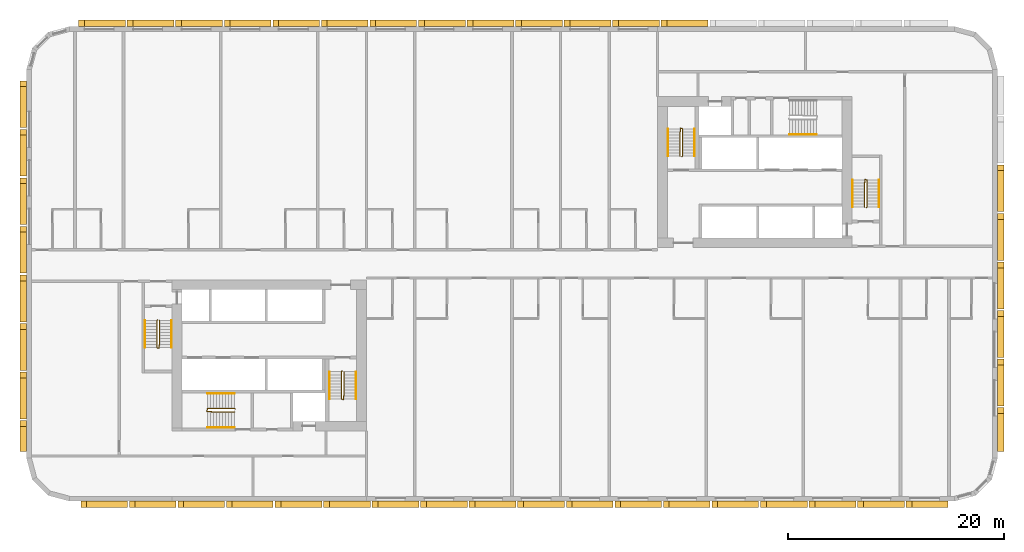
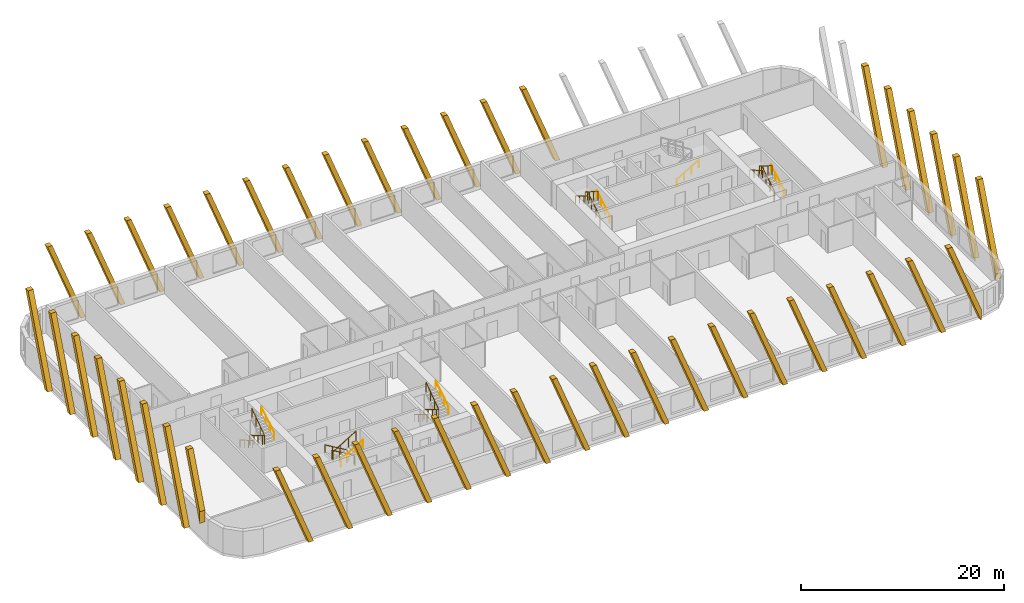
# One storey, part 12 of 13: 45 coverings, 16 railings.
"""IFC4 building model written with IfcOpenShell, lengths in metres."""

from ifc_helpers import new_model, si_unit, direction, frame, origin, origin_2d, place, context, subcontext, project, spatial, polyline, rectangle, circle, outline, extrude, material, material_profile, profile_set, type_object, element, save


model = new_model("IFC4")

# Units and contexts
model_context = context("Model", 3, precision=1e-05, world=origin(), true_north=direction((0.0, 1.0)))
body_context = subcontext(model_context, "Body", "Model", "MODEL_VIEW")
ifc_project = project(units=[si_unit("LENGTHUNIT", "METRE"), si_unit("AREAUNIT", "SQUARE_METRE"), si_unit("VOLUMEUNIT", "CUBIC_METRE"), si_unit("PLANEANGLEUNIT", "RADIAN"), si_unit("MASSUNIT", "GRAM", prefix="KILO")], contexts=[model_context])

# Site, building, storey
site_placement = place(None, origin())
site = spatial("IfcSite", under=ifc_project, at=site_placement, CompositionType="ELEMENT")
building_placement = place(site_placement, origin())
building = spatial("IfcBuilding", under=site, at=building_placement, Name="Kajstack Hotel Tower", CompositionType="ELEMENT")
storey_placement = place(building_placement, frame((0.0, 0.0, 60.0)))
storey = spatial("IfcBuildingStorey", under=building, at=storey_placement, Name="L09", CompositionType="ELEMENT", Elevation=60.0)

# Coverings
ifc_material_1 = material(Name="Terracotta", Category="masonry")
ifc_material_profile = material_profile(ifc_material_1, rectangle(XDim=0.60009765625, YDim=0.5, at=origin_2d()), Name="Terracotta-clad concrete baguette 500 x 600")
ifc_profile_set = profile_set([ifc_material_profile], Name="Terracotta")
covering_type = type_object("IfcCoveringType", Name="BAGUETTE 500x600", PredefinedType="CLADDING", material=ifc_profile_set)
for number, where, z_axis, x_axis, name in (
    (1, (-39.968017578125, -22.0, 0.0), (0.0, -1.0, 0.0), (1.0, 0.0, 0.0), "Baguette L09-03-000"),
    (2, (-35.468017578125, -22.0, 0.0), (0.0, -1.0, 0.0), (1.0, 0.0, 0.0), "Baguette L09-03-004"),
    (3, (-30.968017578125, -22.0, 0.0), (0.0, -1.0, 0.0), (1.0, 0.0, 0.0), "Baguette L09-03-008"),
    (4, (-26.468017578125, -22.0, 0.0), (0.0, -1.0, 0.0), (1.0, 0.0, 0.0), "Baguette L09-03-012"),
    (5, (-21.968017578125, -22.0, 0.0), (0.0, -1.0, 0.0), (1.0, 0.0, 0.0), "Baguette L09-03-016"),
    (6, (-17.468017578125, -22.0, 0.0), (0.0, -1.0, 0.0), (1.0, 0.0, 0.0), "Baguette L09-03-020"),
    (7, (-12.968017578125, -22.0, 0.0), (0.0, -1.0, 0.0), (1.0, 0.0, 0.0), "Baguette L09-03-024"),
    (8, (-8.468017578125, -22.0, 0.0), (0.0, -1.0, 0.0), (1.0, 0.0, 0.0), "Baguette L09-03-028"),
    (9, (-3.968017578125, -22.0, 0.0), (0.0, -1.0, 0.0), (1.0, 0.0, 0.0), "Baguette L09-03-032"),
    (10, (0.531982421875, -22.0, 0.0), (0.0, -1.0, 0.0), (1.0, 0.0, 0.0), "Baguette L09-03-036"),
    (11, (5.031982421875, -22.0, 0.0), (0.0, -1.0, 0.0), (1.0, 0.0, 0.0), "Baguette L09-03-040"),
    (12, (9.531982421875, -22.0, 0.0), (0.0, -1.0, 0.0), (1.0, 0.0, 0.0), "Baguette L09-03-044"),
    (13, (14.031982421875, -22.0, 0.0), (0.0, -1.0, 0.0), (1.0, 0.0, 0.0), "Baguette L09-03-048"),
    (14, (18.531982421875, -22.0, 0.0), (0.0, -1.0, 0.0), (1.0, 0.0, 0.0), "Baguette L09-03-052"),
    (15, (23.031982421875, -22.0, 0.0), (0.0, -1.0, 0.0), (1.0, 0.0, 0.0), "Baguette L09-03-056"),
    (16, (27.531982421875, -22.0, 0.0), (0.0, -1.0, 0.0), (1.0, 0.0, 0.0), "Baguette L09-03-060"),
    (17, (32.031982421875, -22.0, 0.0), (0.0, -1.0, 0.0), (1.0, 0.0, 0.0), "Baguette L09-03-064"),
):
    element("IfcCovering", number, at=place(storey_placement, frame(where, z_axis=z_axis, x_axis=x_axis)), inside=storey, type_object=covering_type, Name=name, PredefinedType="CLADDING", context=body_context, shape_type="SweptSolid", body=[
        extrude(outline(polyline([(0.0, 9.89990234375), (3.80029296875, 0.0), (4.3359375, 0.0), (0.53564453125, 9.89990234375), (0.0, 9.89990234375)])), origin(), (0.0, 0.0, 1.0), 0.60009765625),
    ])
covering_1_placement = place(storey_placement, frame((36.531982421875, -22.0, 0.0), z_axis=(0.0, -1.0, 0.0), x_axis=(1.0, 0.0, 0.0)))
element("IfcCovering", 18, at=covering_1_placement, inside=storey, type_object=covering_type, Name="Baguette L09-03-068", PredefinedType="CLADDING", context=body_context, shape_type="SweptSolid", body=[
    extrude(outline(polyline([(3.80029296875, 0.0), (3.867919921875, 0.0), (3.867919921875, 1.218505859375), (0.53564453125, 9.89990234375), (0.0, 9.89990234375), (3.80029296875, 0.0)])), origin(), (0.0, 0.0, 1.0), 0.60009765625),
])
covering_2_placement = place(storey_placement, frame((45.0, -17.39990234375, 0.0), z_axis=(1.0, 0.0, 0.0), x_axis=(0.0, 1.0, 0.0)))
element("IfcCovering", 19, at=covering_2_placement, inside=storey, type_object=covering_type, Name="Baguette L09-07-000", PredefinedType="CLADDING", context=body_context, shape_type="SweptSolid", body=[
    extrude(outline(polyline([(3.532470703125, 9.89990234375), (0.0, 0.697509765625), (0.0, 0.0), (0.267822265625, 0.0), (4.068115234375, 9.89990234375), (3.532470703125, 9.89990234375)])), origin(), (0.0, 0.0, 1.0), 0.60009765625),
])
for number, where, z_axis, x_axis, name in (
    (20, (45.0, -13.167724609375, 0.0), (1.0, 0.0, 0.0), (0.0, 1.0, 0.0), "Baguette L09-07-004"),
    (21, (45.0, -8.667724609375, 0.0), (1.0, 0.0, 0.0), (0.0, 1.0, 0.0), "Baguette L09-07-008"),
    (22, (45.0, -4.167724609375, 0.0), (1.0, 0.0, 0.0), (0.0, 1.0, 0.0), "Baguette L09-07-012"),
    (23, (45.0, 0.332275390625, 0.0), (1.0, 0.0, 0.0), (0.0, 1.0, 0.0), "Baguette L09-07-016"),
    (24, (45.0, 4.832275390625, 0.0), (1.0, 0.0, 0.0), (0.0, 1.0, 0.0), "Baguette L09-07-020"),
    (25, (18.167724609375, 22.0, 0.0), (0.0, 1.0, 0.0), (-1.0, 0.0, 0.0), "Baguette L09-11-020"),
    (26, (13.667724609375, 22.0, 0.0), (0.0, 1.0, 0.0), (-1.0, 0.0, 0.0), "Baguette L09-11-024"),
    (27, (9.167724609375, 22.0, 0.0), (0.0, 1.0, 0.0), (-1.0, 0.0, 0.0), "Baguette L09-11-028"),
    (28, (4.667724609375, 22.0, 0.0), (0.0, 1.0, 0.0), (-1.0, 0.0, 0.0), "Baguette L09-11-032"),
    (29, (0.167724609375, 22.0, 0.0), (0.0, 1.0, 0.0), (-1.0, 0.0, 0.0), "Baguette L09-11-036"),
    (30, (-4.332275390625, 22.0, 0.0), (0.0, 1.0, 0.0), (-1.0, 0.0, 0.0), "Baguette L09-11-040"),
    (31, (-8.832275390625, 22.0, 0.0), (0.0, 1.0, 0.0), (-1.0, 0.0, 0.0), "Baguette L09-11-044"),
    (32, (-13.332275390625, 22.0, 0.0), (0.0, 1.0, 0.0), (-1.0, 0.0, 0.0), "Baguette L09-11-048"),
    (33, (-17.832275390625, 22.0, 0.0), (0.0, 1.0, 0.0), (-1.0, 0.0, 0.0), "Baguette L09-11-052"),
    (34, (-22.332275390625, 22.0, 0.0), (0.0, 1.0, 0.0), (-1.0, 0.0, 0.0), "Baguette L09-11-056"),
    (35, (-26.832275390625, 22.0, 0.0), (0.0, 1.0, 0.0), (-1.0, 0.0, 0.0), "Baguette L09-11-060"),
    (36, (-31.332275390625, 22.0, 0.0), (0.0, 1.0, 0.0), (-1.0, 0.0, 0.0), "Baguette L09-11-064"),
    (37, (-35.832275390625, 22.0, 0.0), (0.0, 1.0, 0.0), (-1.0, 0.0, 0.0), "Baguette L09-11-068"),
):
    element("IfcCovering", number, at=place(storey_placement, frame(where, z_axis=z_axis, x_axis=x_axis)), inside=storey, type_object=covering_type, Name=name, PredefinedType="CLADDING", context=body_context, shape_type="SweptSolid", body=[
        extrude(outline(polyline([(3.80029296875, 9.89990234375), (0.0, 0.0), (0.53564453125, 0.0), (4.3359375, 9.89990234375), (3.80029296875, 9.89990234375)])), origin(), (0.0, 0.0, 1.0), 0.60009765625),
    ])
for number, where, z_axis, x_axis, name in (
    (38, (-45.0, 16.968017578125, 0.0), (-1.0, 0.0, 0.0), (0.0, -1.0, 0.0), "Baguette L09-15-000"),
    (39, (-45.0, 12.468017578125, 0.0), (-1.0, 0.0, 0.0), (0.0, -1.0, 0.0), "Baguette L09-15-004"),
    (40, (-45.0, 7.968017578125, 0.0), (-1.0, 0.0, 0.0), (0.0, -1.0, 0.0), "Baguette L09-15-008"),
    (41, (-45.0, 3.468017578125, 0.0), (-1.0, 0.0, 0.0), (0.0, -1.0, 0.0), "Baguette L09-15-012"),
    (42, (-45.0, -1.031982421875, 0.0), (-1.0, 0.0, 0.0), (0.0, -1.0, 0.0), "Baguette L09-15-016"),
    (43, (-45.0, -5.531982421875, 0.0), (-1.0, 0.0, 0.0), (0.0, -1.0, 0.0), "Baguette L09-15-020"),
    (44, (-45.0, -10.031982421875, 0.0), (-1.0, 0.0, 0.0), (0.0, -1.0, 0.0), "Baguette L09-15-024"),
):
    element("IfcCovering", number, at=place(storey_placement, frame(where, z_axis=z_axis, x_axis=x_axis)), inside=storey, type_object=covering_type, Name=name, PredefinedType="CLADDING", context=body_context, shape_type="SweptSolid", body=[
        extrude(outline(polyline([(0.0, 9.89990234375), (3.80029296875, 0.0), (4.3359375, 0.0), (0.53564453125, 9.89990234375), (0.0, 9.89990234375)])), origin(), (0.0, 0.0, 1.0), 0.60009765625),
    ])
covering_3_placement = place(storey_placement, frame((-45.0, -14.531982421875, 0.0), z_axis=(-1.0, 0.0, 0.0), x_axis=(0.0, -1.0, 0.0)))
element("IfcCovering", 45, at=covering_3_placement, inside=storey, type_object=covering_type, Name="Baguette L09-15-028", PredefinedType="CLADDING", context=body_context, shape_type="SweptSolid", body=[
    extrude(outline(polyline([(0.0, 9.89990234375), (2.867919921875, 2.428466796875), (2.867919921875, 3.82373046875), (0.53564453125, 9.89990234375), (0.0, 9.89990234375)])), origin(), (0.0, 0.0, 1.0), 0.60009765625),
])

# Railings
ifc_material_2 = material(Name="Steel S355J2", Category="steel")
railing_type_1 = type_object("IfcRailingType", Name="Stair guard 1100", PredefinedType="GUARDRAIL", material=ifc_material_2)
railing_1_placement = place(storey_placement, frame((-32.85009765625, -5.199951171875, 0.0)))
element("IfcRailing", 46, at=railing_1_placement, inside=storey, type_object=railing_type_1, Name="L09 W1 stair guard 1", PredefinedType="GUARDRAIL", context=body_context, shape_type="SweptSolid", body=[
    extrude(circle(Radius=0.02392578125, at=origin_2d()), frame((0.0, 0.0, 1.076171875), z_axis=(-0.277450376394, -0.278810427259, 0.919394384522), x_axis=(0.708833529934, -0.705375805398, 0.0)), (0.0, 0.0, 1.0), 0.179443359375),
    extrude(circle(Radius=0.02392578125, at=origin_2d()), frame((-0.0498046875, -0.050048828125, 1.2412109375), z_axis=(0.0, -0.861560626758, 0.507654692109), x_axis=(1.0, 0.0, 0.0)), (0.0, 0.0, 1.0), 2.925048828125),
    extrude(circle(Radius=0.02392578125, at=origin_2d()), frame((-0.0498046875, -2.570068359375, 2.72607421875), z_axis=(0.970072785993, -0.242814311512, 0.0), x_axis=(0.242814311512, 0.970072785993, 0.0)), (0.0, 0.0, 1.0), 0.2060546875),
    extrude(circle(Radius=0.02392578125, at=origin_2d()), frame((0.150146484375, -2.6201171875, 2.72607421875), z_axis=(0.016384601254, 0.84136925563, 0.540212292087), x_axis=(-0.999810440751, 0.019470042781, 0.0)), (0.0, 0.0, 1.0), 3.0546875),
    extrude(circle(Radius=0.02099609375, at=origin_2d()), origin(), (0.0, 0.0, 1.0), 1.052001953125),
    extrude(circle(Radius=0.02099609375, at=origin_2d()), frame((-0.0498046875, -0.050048828125, 0.1650390625)), (0.0, 0.0, 1.0), 1.052001953125),
    extrude(circle(Radius=0.02099609375, at=origin_2d()), frame((-0.0498046875, -0.89013671875, 0.659912109375)), (0.0, 0.0, 1.0), 1.052001953125),
    extrude(circle(Radius=0.02099609375, at=origin_2d()), frame((-0.0498046875, -1.72998046875, 1.155029296875)), (0.0, 0.0, 1.0), 1.052001953125),
    extrude(circle(Radius=0.02099609375, at=origin_2d()), frame((-0.0498046875, -2.570068359375, 1.64990234375)), (0.0, 0.0, 1.0), 1.052001953125),
    extrude(circle(Radius=0.02099609375, at=origin_2d()), frame((0.150146484375, -2.6201171875, 1.64990234375)), (0.0, 0.0, 1.0), 1.052001953125),
    extrude(circle(Radius=0.02099609375, at=origin_2d()), frame((0.166748046875, -1.763427734375, 2.199951171875)), (0.0, 0.0, 1.0), 1.052001953125),
    extrude(circle(Radius=0.02099609375, at=origin_2d()), frame((0.18359375, -0.90673828125, 2.75)), (0.0, 0.0, 1.0), 1.052001953125),
    extrude(circle(Radius=0.02099609375, at=origin_2d()), frame((0.2001953125, -0.050048828125, 3.300048828125)), (0.0, 0.0, 1.0), 1.052001953125),
])
railing_2_placement = place(storey_placement, frame((-15.75, -9.949951171875, 0.0)))
element("IfcRailing", 47, at=railing_2_placement, inside=storey, type_object=railing_type_1, Name="L09 W2 stair guard 1", PredefinedType="GUARDRAIL", context=body_context, shape_type="SweptSolid", body=[
    extrude(circle(Radius=0.02392578125, at=origin_2d()), frame((0.0, 0.0, 1.076171875), z_axis=(-0.278705021027, -0.278705021027, 0.919046801044), x_axis=(0.707106781187, -0.707106781187, 0.0)), (0.0, 0.0, 1.0), 0.1796875),
    extrude(circle(Radius=0.02392578125, at=origin_2d()), frame((-0.050048828125, -0.050048828125, 1.2412109375), z_axis=(0.0, -0.861560626758, 0.507654692109), x_axis=(1.0, 0.0, 0.0)), (0.0, 0.0, 1.0), 2.925048828125),
    extrude(circle(Radius=0.02392578125, at=origin_2d()), frame((-0.050048828125, -2.570068359375, 2.72607421875), z_axis=(0.970072785993, -0.242814311512, 0.0), x_axis=(0.242814311512, 0.970072785993, 0.0)), (0.0, 0.0, 1.0), 0.2060546875),
    extrude(circle(Radius=0.02392578125, at=origin_2d()), frame((0.14990234375, -2.6201171875, 2.72607421875), z_axis=(0.016384601254, 0.84136925563, 0.540212292087), x_axis=(-0.999810440751, 0.019470042781, 0.0)), (0.0, 0.0, 1.0), 3.0546875),
    extrude(circle(Radius=0.02099609375, at=origin_2d()), origin(), (0.0, 0.0, 1.0), 1.052001953125),
    extrude(circle(Radius=0.02099609375, at=origin_2d()), frame((-0.050048828125, -0.050048828125, 0.1650390625)), (0.0, 0.0, 1.0), 1.052001953125),
    extrude(circle(Radius=0.02099609375, at=origin_2d()), frame((-0.050048828125, -0.89013671875, 0.659912109375)), (0.0, 0.0, 1.0), 1.052001953125),
    extrude(circle(Radius=0.02099609375, at=origin_2d()), frame((-0.050048828125, -1.72998046875, 1.155029296875)), (0.0, 0.0, 1.0), 1.052001953125),
    extrude(circle(Radius=0.02099609375, at=origin_2d()), frame((-0.050048828125, -2.570068359375, 1.64990234375)), (0.0, 0.0, 1.0), 1.052001953125),
    extrude(circle(Radius=0.02099609375, at=origin_2d()), frame((0.14990234375, -2.6201171875, 1.64990234375)), (0.0, 0.0, 1.0), 1.052001953125),
    extrude(circle(Radius=0.02099609375, at=origin_2d()), frame((0.16650390625, -1.763427734375, 2.199951171875)), (0.0, 0.0, 1.0), 1.052001953125),
    extrude(circle(Radius=0.02099609375, at=origin_2d()), frame((0.183349609375, -0.90673828125, 2.75)), (0.0, 0.0, 1.0), 1.052001953125),
    extrude(circle(Radius=0.02099609375, at=origin_2d()), frame((0.199951171875, -0.050048828125, 3.300048828125)), (0.0, 0.0, 1.0), 1.052001953125),
])
railing_3_placement = place(storey_placement, frame((-25.64990234375, -13.449951171875, 0.0)))
element("IfcRailing", 48, at=railing_3_placement, inside=storey, type_object=railing_type_1, Name="L09 W3 stair guard 1", PredefinedType="GUARDRAIL", context=body_context, shape_type="SweptSolid", body=[
    extrude(circle(Radius=0.02392578125, at=origin_2d()), frame((0.0, 0.0, 1.076171875), z_axis=(-0.278705021027, 0.278705021027, 0.919046801044), x_axis=(-0.707106781187, -0.707106781187, 0.0)), (0.0, 0.0, 1.0), 0.1796875),
    extrude(circle(Radius=0.02392578125, at=origin_2d()), frame((-0.050048828125, 0.050048828125, 1.2412109375), z_axis=(-0.861560626758, 0.0, 0.507654692109), x_axis=(0.0, -1.0, 0.0)), (0.0, 0.0, 1.0), 2.925048828125),
    extrude(circle(Radius=0.02392578125, at=origin_2d()), frame((-2.570068359375, 0.050048828125, 2.72607421875), z_axis=(-0.164529134168, -0.986372223864, 0.0), x_axis=(0.986372223864, -0.164529134168, 0.0)), (0.0, 0.0, 1.0), 0.30419921875),
    extrude(circle(Radius=0.02392578125, at=origin_2d()), frame((-2.6201171875, -0.25, 2.72607421875), z_axis=(0.84136925563, -0.016384601254, 0.540212292087), x_axis=(0.019470042781, 0.999810440751, 0.0)), (0.0, 0.0, 1.0), 3.0546875),
    extrude(circle(Radius=0.02099609375, at=origin_2d()), origin(), (0.0, 0.0, 1.0), 1.052001953125),
    extrude(circle(Radius=0.02099609375, at=origin_2d()), frame((-0.050048828125, 0.050048828125, 0.1650390625)), (0.0, 0.0, 1.0), 1.052001953125),
    extrude(circle(Radius=0.02099609375, at=origin_2d()), frame((-0.89013671875, 0.050048828125, 0.659912109375)), (0.0, 0.0, 1.0), 1.052001953125),
    extrude(circle(Radius=0.02099609375, at=origin_2d()), frame((-1.72998046875, 0.050048828125, 1.155029296875)), (0.0, 0.0, 1.0), 1.052001953125),
    extrude(circle(Radius=0.02099609375, at=origin_2d()), frame((-2.570068359375, 0.050048828125, 1.64990234375)), (0.0, 0.0, 1.0), 1.052001953125),
    extrude(circle(Radius=0.02099609375, at=origin_2d()), frame((-2.6201171875, -0.25, 1.64990234375)), (0.0, 0.0, 1.0), 1.052001953125),
    extrude(circle(Radius=0.02099609375, at=origin_2d()), frame((-1.763427734375, -0.2666015625, 2.199951171875)), (0.0, 0.0, 1.0), 1.052001953125),
    extrude(circle(Radius=0.02099609375, at=origin_2d()), frame((-0.90673828125, -0.283447265625, 2.75)), (0.0, 0.0, 1.0), 1.052001953125),
    extrude(circle(Radius=0.02099609375, at=origin_2d()), frame((-0.050048828125, -0.300048828125, 3.300048828125)), (0.0, 0.0, 1.0), 1.052001953125),
])
railing_4_placement = place(storey_placement, frame((32.85009765625, 5.199951171875, 0.0)))
element("IfcRailing", 49, at=railing_4_placement, inside=storey, type_object=railing_type_1, Name="L09 E1 stair guard 1", PredefinedType="GUARDRAIL", context=body_context, shape_type="SweptSolid", body=[
    extrude(circle(Radius=0.02392578125, at=origin_2d()), frame((0.0, 0.0, 1.076171875), z_axis=(0.277450376394, 0.278810427259, 0.919394384522), x_axis=(-0.708833529934, 0.705375805398, 0.0)), (0.0, 0.0, 1.0), 0.179443359375),
    extrude(circle(Radius=0.02392578125, at=origin_2d()), frame((0.0498046875, 0.050048828125, 1.2412109375), z_axis=(0.0, 0.861560626758, 0.507654692109), x_axis=(-1.0, 0.0, 0.0)), (0.0, 0.0, 1.0), 2.925048828125),
    extrude(circle(Radius=0.02392578125, at=origin_2d()), frame((0.0498046875, 2.570068359375, 2.72607421875), z_axis=(-0.970072785993, 0.242814311512, 0.0), x_axis=(-0.242814311512, -0.970072785993, 0.0)), (0.0, 0.0, 1.0), 0.2060546875),
    extrude(circle(Radius=0.02392578125, at=origin_2d()), frame((-0.150146484375, 2.6201171875, 2.72607421875), z_axis=(-0.016384601254, -0.84136925563, 0.540212292087), x_axis=(0.999810440751, -0.019470042781, 0.0)), (0.0, 0.0, 1.0), 3.0546875),
    extrude(circle(Radius=0.02099609375, at=origin_2d()), origin(), (0.0, 0.0, 1.0), 1.052001953125),
    extrude(circle(Radius=0.02099609375, at=origin_2d()), frame((0.0498046875, 0.050048828125, 0.1650390625)), (0.0, 0.0, 1.0), 1.052001953125),
    extrude(circle(Radius=0.02099609375, at=origin_2d()), frame((0.0498046875, 0.89013671875, 0.659912109375)), (0.0, 0.0, 1.0), 1.052001953125),
    extrude(circle(Radius=0.02099609375, at=origin_2d()), frame((0.0498046875, 1.72998046875, 1.155029296875)), (0.0, 0.0, 1.0), 1.052001953125),
    extrude(circle(Radius=0.02099609375, at=origin_2d()), frame((0.0498046875, 2.570068359375, 1.64990234375)), (0.0, 0.0, 1.0), 1.052001953125),
    extrude(circle(Radius=0.02099609375, at=origin_2d()), frame((-0.150146484375, 2.6201171875, 1.64990234375)), (0.0, 0.0, 1.0), 1.052001953125),
    extrude(circle(Radius=0.02099609375, at=origin_2d()), frame((-0.166748046875, 1.763427734375, 2.199951171875)), (0.0, 0.0, 1.0), 1.052001953125),
    extrude(circle(Radius=0.02099609375, at=origin_2d()), frame((-0.18359375, 0.90673828125, 2.75)), (0.0, 0.0, 1.0), 1.052001953125),
    extrude(circle(Radius=0.02099609375, at=origin_2d()), frame((-0.2001953125, 0.050048828125, 3.300048828125)), (0.0, 0.0, 1.0), 1.052001953125),
])
railing_5_placement = place(storey_placement, frame((15.75, 9.949951171875, 0.0)))
element("IfcRailing", 50, at=railing_5_placement, inside=storey, type_object=railing_type_1, Name="L09 E2 stair guard 1", PredefinedType="GUARDRAIL", context=body_context, shape_type="SweptSolid", body=[
    extrude(circle(Radius=0.02392578125, at=origin_2d()), frame((0.0, 0.0, 1.076171875), z_axis=(0.278705021027, 0.278705021027, 0.919046801044), x_axis=(-0.707106781187, 0.707106781187, 0.0)), (0.0, 0.0, 1.0), 0.1796875),
    extrude(circle(Radius=0.02392578125, at=origin_2d()), frame((0.050048828125, 0.050048828125, 1.2412109375), z_axis=(0.0, 0.861560626758, 0.507654692109), x_axis=(-1.0, 0.0, 0.0)), (0.0, 0.0, 1.0), 2.925048828125),
    extrude(circle(Radius=0.02392578125, at=origin_2d()), frame((0.050048828125, 2.570068359375, 2.72607421875), z_axis=(-0.970072785993, 0.242814311512, 0.0), x_axis=(-0.242814311512, -0.970072785993, 0.0)), (0.0, 0.0, 1.0), 0.2060546875),
    extrude(circle(Radius=0.02392578125, at=origin_2d()), frame((-0.14990234375, 2.6201171875, 2.72607421875), z_axis=(-0.016384601254, -0.84136925563, 0.540212292087), x_axis=(0.999810440751, -0.019470042781, 0.0)), (0.0, 0.0, 1.0), 3.0546875),
    extrude(circle(Radius=0.02099609375, at=origin_2d()), origin(), (0.0, 0.0, 1.0), 1.052001953125),
    extrude(circle(Radius=0.02099609375, at=origin_2d()), frame((0.050048828125, 0.050048828125, 0.1650390625)), (0.0, 0.0, 1.0), 1.052001953125),
    extrude(circle(Radius=0.02099609375, at=origin_2d()), frame((0.050048828125, 0.89013671875, 0.659912109375)), (0.0, 0.0, 1.0), 1.052001953125),
    extrude(circle(Radius=0.02099609375, at=origin_2d()), frame((0.050048828125, 1.72998046875, 1.155029296875)), (0.0, 0.0, 1.0), 1.052001953125),
    extrude(circle(Radius=0.02099609375, at=origin_2d()), frame((0.050048828125, 2.570068359375, 1.64990234375)), (0.0, 0.0, 1.0), 1.052001953125),
    extrude(circle(Radius=0.02099609375, at=origin_2d()), frame((-0.14990234375, 2.6201171875, 1.64990234375)), (0.0, 0.0, 1.0), 1.052001953125),
    extrude(circle(Radius=0.02099609375, at=origin_2d()), frame((-0.16650390625, 1.763427734375, 2.199951171875)), (0.0, 0.0, 1.0), 1.052001953125),
    extrude(circle(Radius=0.02099609375, at=origin_2d()), frame((-0.183349609375, 0.90673828125, 2.75)), (0.0, 0.0, 1.0), 1.052001953125),
    extrude(circle(Radius=0.02099609375, at=origin_2d()), frame((-0.199951171875, 0.050048828125, 3.300048828125)), (0.0, 0.0, 1.0), 1.052001953125),
])
railing_type_2 = type_object("IfcRailingType", Name="Stair handrail 900", PredefinedType="HANDRAIL", material=ifc_material_2)
railing_6_placement = place(storey_placement, frame((-34.0, -5.25, 0.1650390625)))
element("IfcRailing", 51, at=railing_6_placement, inside=storey, type_object=railing_type_2, Name="L09 W1 stair handrail 1", PredefinedType="HANDRAIL", context=body_context, shape_type="SweptSolid", body=[
    extrude(circle(Radius=0.02392578125, at=origin_2d()), frame((0.0, 0.0, 0.8759765625), z_axis=(0.0, -0.861560626758, 0.507654692109), x_axis=(1.0, 0.0, 0.0)), (0.0, 0.0, 1.0), 2.925048828125),
    extrude(circle(Radius=0.02099609375, at=origin_2d()), origin(), (0.0, 0.0, 1.0), 0.851806640625),
    extrude(circle(Radius=0.02099609375, at=origin_2d()), frame((0.0, -0.840087890625, 0.494873046875)), (0.0, 0.0, 1.0), 0.851806640625),
    extrude(circle(Radius=0.02099609375, at=origin_2d()), frame((0.0, -1.679931640625, 0.989990234375)), (0.0, 0.0, 1.0), 0.851806640625),
    extrude(circle(Radius=0.02099609375, at=origin_2d()), frame((0.0, -2.52001953125, 1.48486328125)), (0.0, 0.0, 1.0), 0.851806640625),
])
railing_7_placement = place(storey_placement, frame((-31.550048828125, -7.77001953125, 1.81494140625)))
element("IfcRailing", 52, at=railing_7_placement, inside=storey, type_object=railing_type_2, Name="L09 W1 stair handrail 2", PredefinedType="HANDRAIL", context=body_context, shape_type="SweptSolid", body=[
    extrude(circle(Radius=0.02392578125, at=origin_2d()), frame((0.0, 0.0, 0.8759765625), z_axis=(0.0, 0.86152411907, 0.507716645641), x_axis=(-1.0, 0.0, 0.0)), (0.0, 0.0, 1.0), 2.925048828125),
    extrude(circle(Radius=0.02099609375, at=origin_2d()), origin(), (0.0, 0.0, 1.0), 0.851806640625),
    extrude(circle(Radius=0.02099609375, at=origin_2d()), frame((0.0, 0.840087890625, 0.4951171875)), (0.0, 0.0, 1.0), 0.851806640625),
    extrude(circle(Radius=0.02099609375, at=origin_2d()), frame((0.0, 1.679931640625, 0.989990234375)), (0.0, 0.0, 1.0), 0.851806640625),
    extrude(circle(Radius=0.02099609375, at=origin_2d()), frame((0.0, 2.52001953125, 1.485107421875)), (0.0, 0.0, 1.0), 0.851806640625),
])
railing_8_placement = place(storey_placement, frame((-16.89990234375, -10.0, 0.1650390625)))
element("IfcRailing", 53, at=railing_8_placement, inside=storey, type_object=railing_type_2, Name="L09 W2 stair handrail 1", PredefinedType="HANDRAIL", context=body_context, shape_type="SweptSolid", body=[
    extrude(circle(Radius=0.02392578125, at=origin_2d()), frame((0.0, 0.0, 0.8759765625), z_axis=(0.0, -0.861560626758, 0.507654692109), x_axis=(1.0, 0.0, 0.0)), (0.0, 0.0, 1.0), 2.925048828125),
    extrude(circle(Radius=0.02099609375, at=origin_2d()), origin(), (0.0, 0.0, 1.0), 0.851806640625),
    extrude(circle(Radius=0.02099609375, at=origin_2d()), frame((0.0, -0.840087890625, 0.494873046875)), (0.0, 0.0, 1.0), 0.851806640625),
    extrude(circle(Radius=0.02099609375, at=origin_2d()), frame((0.0, -1.679931640625, 0.989990234375)), (0.0, 0.0, 1.0), 0.851806640625),
    extrude(circle(Radius=0.02099609375, at=origin_2d()), frame((0.0, -2.52001953125, 1.48486328125)), (0.0, 0.0, 1.0), 0.851806640625),
])
railing_9_placement = place(storey_placement, frame((-14.449951171875, -12.52001953125, 1.81494140625)))
element("IfcRailing", 54, at=railing_9_placement, inside=storey, type_object=railing_type_2, Name="L09 W2 stair handrail 2", PredefinedType="HANDRAIL", context=body_context, shape_type="SweptSolid", body=[
    extrude(circle(Radius=0.02392578125, at=origin_2d()), frame((0.0, 0.0, 0.8759765625), z_axis=(0.0, 0.86152411907, 0.507716645641), x_axis=(-1.0, 0.0, 0.0)), (0.0, 0.0, 1.0), 2.925048828125),
    extrude(circle(Radius=0.02099609375, at=origin_2d()), origin(), (0.0, 0.0, 1.0), 0.851806640625),
    extrude(circle(Radius=0.02099609375, at=origin_2d()), frame((0.0, 0.840087890625, 0.4951171875)), (0.0, 0.0, 1.0), 0.851806640625),
    extrude(circle(Radius=0.02099609375, at=origin_2d()), frame((0.0, 1.679931640625, 0.989990234375)), (0.0, 0.0, 1.0), 0.851806640625),
    extrude(circle(Radius=0.02099609375, at=origin_2d()), frame((0.0, 2.52001953125, 1.485107421875)), (0.0, 0.0, 1.0), 0.851806640625),
])
railing_10_placement = place(storey_placement, frame((-25.699951171875, -12.0, 0.1650390625)))
element("IfcRailing", 55, at=railing_10_placement, inside=storey, type_object=railing_type_2, Name="L09 W3 stair handrail 1", PredefinedType="HANDRAIL", context=body_context, shape_type="SweptSolid", body=[
    extrude(circle(Radius=0.02392578125, at=origin_2d()), frame((0.0, 0.0, 0.8759765625), z_axis=(-0.861560626758, 0.0, 0.507654692109), x_axis=(0.0, -1.0, 0.0)), (0.0, 0.0, 1.0), 2.925048828125),
    extrude(circle(Radius=0.02099609375, at=origin_2d()), origin(), (0.0, 0.0, 1.0), 0.851806640625),
    extrude(circle(Radius=0.02099609375, at=origin_2d()), frame((-0.840087890625, 0.0, 0.494873046875)), (0.0, 0.0, 1.0), 0.851806640625),
    extrude(circle(Radius=0.02099609375, at=origin_2d()), frame((-1.679931640625, 0.0, 0.989990234375)), (0.0, 0.0, 1.0), 0.851806640625),
    extrude(circle(Radius=0.02099609375, at=origin_2d()), frame((-2.52001953125, 0.0, 1.48486328125)), (0.0, 0.0, 1.0), 0.851806640625),
])
railing_11_placement = place(storey_placement, frame((-28.219970703125, -15.14990234375, 1.81494140625)))
element("IfcRailing", 56, at=railing_11_placement, inside=storey, type_object=railing_type_2, Name="L09 W3 stair handrail 2", PredefinedType="HANDRAIL", context=body_context, shape_type="SweptSolid", body=[
    extrude(circle(Radius=0.02392578125, at=origin_2d()), frame((0.0, 0.0, 0.8759765625), z_axis=(0.86152411907, 0.0, 0.507716645641), x_axis=(0.0, 1.0, 0.0)), (0.0, 0.0, 1.0), 2.925048828125),
    extrude(circle(Radius=0.02099609375, at=origin_2d()), origin(), (0.0, 0.0, 1.0), 0.851806640625),
    extrude(circle(Radius=0.02099609375, at=origin_2d()), frame((0.840087890625, 0.0, 0.4951171875)), (0.0, 0.0, 1.0), 0.851806640625),
    extrude(circle(Radius=0.02099609375, at=origin_2d()), frame((1.679931640625, 0.0, 0.989990234375)), (0.0, 0.0, 1.0), 0.851806640625),
    extrude(circle(Radius=0.02099609375, at=origin_2d()), frame((2.52001953125, 0.0, 1.485107421875)), (0.0, 0.0, 1.0), 0.851806640625),
])
railing_12_placement = place(storey_placement, frame((34.0, 5.25, 0.1650390625)))
element("IfcRailing", 57, at=railing_12_placement, inside=storey, type_object=railing_type_2, Name="L09 E1 stair handrail 1", PredefinedType="HANDRAIL", context=body_context, shape_type="SweptSolid", body=[
    extrude(circle(Radius=0.02392578125, at=origin_2d()), frame((0.0, 0.0, 0.8759765625), z_axis=(0.0, 0.861560626758, 0.507654692109), x_axis=(-1.0, 0.0, 0.0)), (0.0, 0.0, 1.0), 2.925048828125),
    extrude(circle(Radius=0.02099609375, at=origin_2d()), origin(), (0.0, 0.0, 1.0), 0.851806640625),
    extrude(circle(Radius=0.02099609375, at=origin_2d()), frame((0.0, 0.840087890625, 0.494873046875)), (0.0, 0.0, 1.0), 0.851806640625),
    extrude(circle(Radius=0.02099609375, at=origin_2d()), frame((0.0, 1.679931640625, 0.989990234375)), (0.0, 0.0, 1.0), 0.851806640625),
    extrude(circle(Radius=0.02099609375, at=origin_2d()), frame((0.0, 2.52001953125, 1.48486328125)), (0.0, 0.0, 1.0), 0.851806640625),
])
railing_13_placement = place(storey_placement, frame((31.550048828125, 7.77001953125, 1.81494140625)))
element("IfcRailing", 58, at=railing_13_placement, inside=storey, type_object=railing_type_2, Name="L09 E1 stair handrail 2", PredefinedType="HANDRAIL", context=body_context, shape_type="SweptSolid", body=[
    extrude(circle(Radius=0.02392578125, at=origin_2d()), frame((0.0, 0.0, 0.8759765625), z_axis=(0.0, -0.86152411907, 0.507716645641), x_axis=(1.0, 0.0, 0.0)), (0.0, 0.0, 1.0), 2.925048828125),
    extrude(circle(Radius=0.02099609375, at=origin_2d()), origin(), (0.0, 0.0, 1.0), 0.851806640625),
    extrude(circle(Radius=0.02099609375, at=origin_2d()), frame((0.0, -0.840087890625, 0.4951171875)), (0.0, 0.0, 1.0), 0.851806640625),
    extrude(circle(Radius=0.02099609375, at=origin_2d()), frame((0.0, -1.679931640625, 0.989990234375)), (0.0, 0.0, 1.0), 0.851806640625),
    extrude(circle(Radius=0.02099609375, at=origin_2d()), frame((0.0, -2.52001953125, 1.485107421875)), (0.0, 0.0, 1.0), 0.851806640625),
])
railing_14_placement = place(storey_placement, frame((16.89990234375, 10.0, 0.1650390625)))
element("IfcRailing", 59, at=railing_14_placement, inside=storey, type_object=railing_type_2, Name="L09 E2 stair handrail 1", PredefinedType="HANDRAIL", context=body_context, shape_type="SweptSolid", body=[
    extrude(circle(Radius=0.02392578125, at=origin_2d()), frame((0.0, 0.0, 0.8759765625), z_axis=(0.0, 0.861560626758, 0.507654692109), x_axis=(-1.0, 0.0, 0.0)), (0.0, 0.0, 1.0), 2.925048828125),
    extrude(circle(Radius=0.02099609375, at=origin_2d()), origin(), (0.0, 0.0, 1.0), 0.851806640625),
    extrude(circle(Radius=0.02099609375, at=origin_2d()), frame((0.0, 0.840087890625, 0.494873046875)), (0.0, 0.0, 1.0), 0.851806640625),
    extrude(circle(Radius=0.02099609375, at=origin_2d()), frame((0.0, 1.679931640625, 0.989990234375)), (0.0, 0.0, 1.0), 0.851806640625),
    extrude(circle(Radius=0.02099609375, at=origin_2d()), frame((0.0, 2.52001953125, 1.48486328125)), (0.0, 0.0, 1.0), 0.851806640625),
])
railing_15_placement = place(storey_placement, frame((14.449951171875, 12.52001953125, 1.81494140625)))
element("IfcRailing", 60, at=railing_15_placement, inside=storey, type_object=railing_type_2, Name="L09 E2 stair handrail 2", PredefinedType="HANDRAIL", context=body_context, shape_type="SweptSolid", body=[
    extrude(circle(Radius=0.02392578125, at=origin_2d()), frame((0.0, 0.0, 0.8759765625), z_axis=(0.0, -0.86152411907, 0.507716645641), x_axis=(1.0, 0.0, 0.0)), (0.0, 0.0, 1.0), 2.925048828125),
    extrude(circle(Radius=0.02099609375, at=origin_2d()), origin(), (0.0, 0.0, 1.0), 0.851806640625),
    extrude(circle(Radius=0.02099609375, at=origin_2d()), frame((0.0, -0.840087890625, 0.4951171875)), (0.0, 0.0, 1.0), 0.851806640625),
    extrude(circle(Radius=0.02099609375, at=origin_2d()), frame((0.0, -1.679931640625, 0.989990234375)), (0.0, 0.0, 1.0), 0.851806640625),
    extrude(circle(Radius=0.02099609375, at=origin_2d()), frame((0.0, -2.52001953125, 1.485107421875)), (0.0, 0.0, 1.0), 0.851806640625),
])
railing_16_placement = place(storey_placement, frame((25.699951171875, 12.0, 0.1650390625)))
element("IfcRailing", 61, at=railing_16_placement, inside=storey, type_object=railing_type_2, Name="L09 E3 stair handrail 1", PredefinedType="HANDRAIL", context=body_context, shape_type="SweptSolid", body=[
    extrude(circle(Radius=0.02392578125, at=origin_2d()), frame((0.0, 0.0, 0.8759765625), z_axis=(0.861560626758, 0.0, 0.507654692109), x_axis=(0.0, 1.0, 0.0)), (0.0, 0.0, 1.0), 2.925048828125),
    extrude(circle(Radius=0.02099609375, at=origin_2d()), origin(), (0.0, 0.0, 1.0), 0.851806640625),
    extrude(circle(Radius=0.02099609375, at=origin_2d()), frame((0.840087890625, 0.0, 0.494873046875)), (0.0, 0.0, 1.0), 0.851806640625),
    extrude(circle(Radius=0.02099609375, at=origin_2d()), frame((1.679931640625, 0.0, 0.989990234375)), (0.0, 0.0, 1.0), 0.851806640625),
    extrude(circle(Radius=0.02099609375, at=origin_2d()), frame((2.52001953125, 0.0, 1.48486328125)), (0.0, 0.0, 1.0), 0.851806640625),
])

save(model, "model.ifc")
